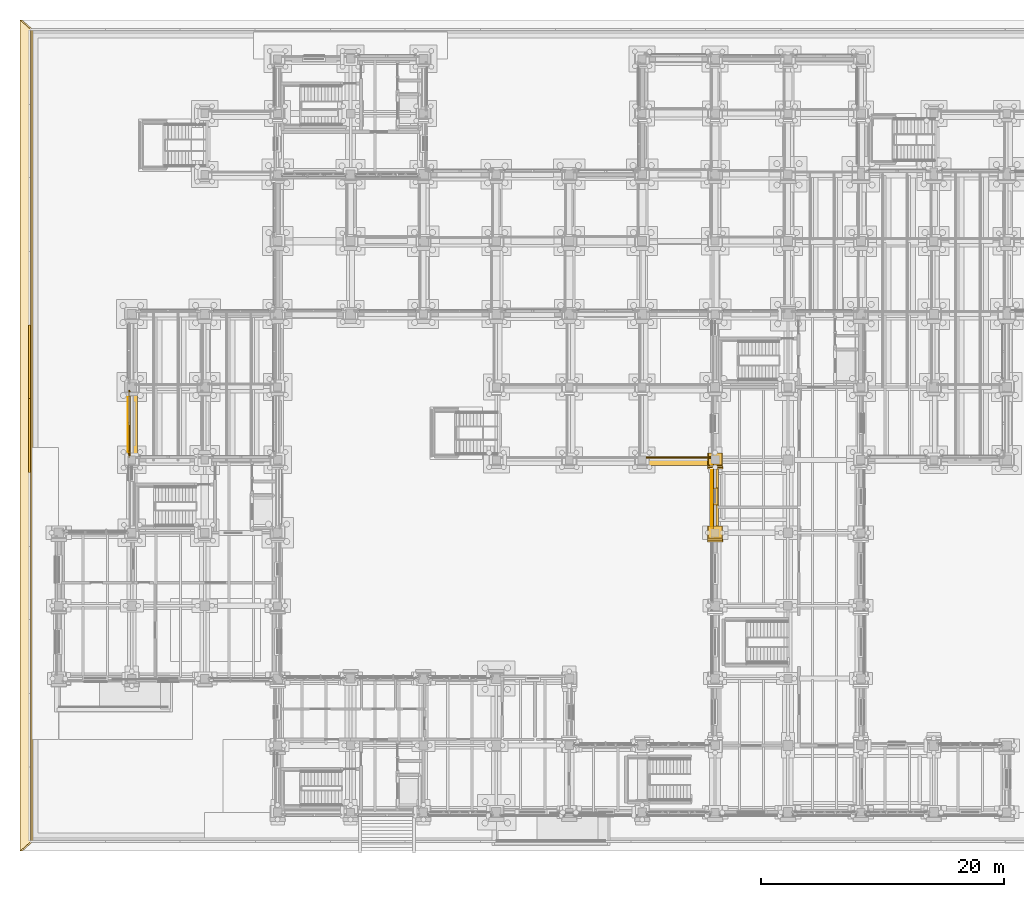
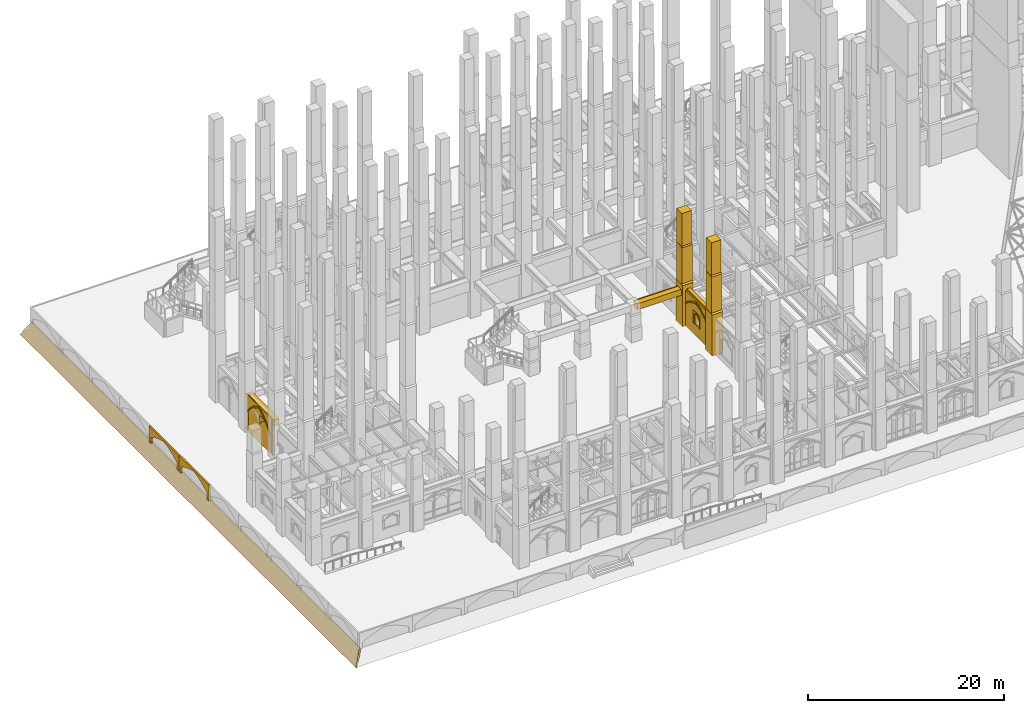
# One storey, part 85 of 135: 27 coverings.
"""IFC4 building model written with IfcOpenShell, lengths in metres."""

from ifc_helpers import new_model, si_unit, direction, frame, origin, origin_2d, place, context, subcontext, project, spatial, polyline, rectangle, outline, extrude, material, type_object, element, save


model = new_model("IFC4")

# Units and contexts
model_context = context("Model", 3, precision=1e-05, world=origin(), true_north=direction((0.0, 1.0)))
body_context = subcontext(model_context, "Body", "Model", "MODEL_VIEW")
ifc_project = project(units=[si_unit("LENGTHUNIT", "METRE"), si_unit("AREAUNIT", "SQUARE_METRE"), si_unit("VOLUMEUNIT", "CUBIC_METRE"), si_unit("PLANEANGLEUNIT", "RADIAN"), si_unit("MASSUNIT", "GRAM", prefix="KILO")], contexts=[model_context])

# Site, building, storey
site_placement = place(None, origin())
site = spatial("IfcSite", under=ifc_project, at=site_placement, CompositionType="ELEMENT")
building_placement = place(site_placement, origin())
building = spatial("IfcBuilding", under=site, at=building_placement, Name="Cumevento Cable Car Station", CompositionType="ELEMENT")
storey_placement = place(building_placement, origin())
storey = spatial("IfcBuildingStorey", under=building, at=storey_placement, Name="L01", CompositionType="ELEMENT", Elevation=0.0)

# Coverings
ifc_material = material(Name="Gnaisse Facoidal Stone Ashlar 85 MPa", Category="masonry")
covering_type = type_object("IfcCoveringType", Name="Gnaisse Ashlar Cladding CV-CL01", PredefinedType="CLADDING", material=ifc_material)
covering_1_placement = place(storey_placement, frame((58.0, 26.909912109375, -0.06005859375), z_axis=(0.0, 0.0, 1.0), x_axis=(1.0, 0.0, 0.0)))
element("IfcCovering", 1, at=covering_1_placement, inside=storey, type_object=covering_type, Name="Stepped Gothic Stone Buttress Tier 1 bt:58.0:27.0", PredefinedType="CLADDING", context=body_context, shape_type="SweptSolid", body=[
    extrude(rectangle(XDim=1.239990234375, YDim=1.300048828125, at=origin_2d()), origin(), (0.0, 0.0, 1.0), 5.175537109375),
])
covering_2_placement = place(storey_placement, frame((57.360107421875, 26.239990234375, 5.095703125), z_axis=(0.0, -0.711135781079, 0.703054692658), x_axis=(1.0, 0.0, 0.0)))
element("IfcCovering", 2, at=covering_2_placement, inside=storey, type_object=covering_type, Name="Gothic Buttress Sloped Stone Weathering 1 bt:58.0:27.0", PredefinedType="CLADDING", context=body_context, shape_type="SweptSolid", body=[
    extrude(outline(polyline([(0.0, 0.0), (1.27978515625, 0.0), (1.27978515625, 0.24169083397703695), (0.0, 0.24169083397703695), (0.0, 0.0)])), origin(), (0.0, 0.0, -1.0), 0.090087890625),
])
covering_3_placement = place(storey_placement, frame((58.0, 26.969970703125, 4.84326171875), z_axis=(0.0, 0.0, 1.0), x_axis=(1.0, 0.0, 0.0)))
element("IfcCovering", 3, at=covering_3_placement, inside=storey, type_object=covering_type, Name="Stepped Gothic Stone Buttress Tier 2 bt:58.0:27.0", PredefinedType="CLADDING", context=body_context, shape_type="SweptSolid", body=[
    extrude(rectangle(XDim=1.179931640625, YDim=1.179931640625, at=origin_2d()), origin(), (0.0, 0.0, 1.0), 4.9033203125),
])
covering_4_placement = place(storey_placement, frame((57.389892578125, 26.360107421875, 9.726318359375), z_axis=(0.0, -0.714474823669, 0.699661151089), x_axis=(1.0, 0.0, 0.0)))
element("IfcCovering", 4, at=covering_4_placement, inside=storey, type_object=covering_type, Name="Gothic Buttress Sloped Stone Weathering 2 bt:58.0:27.0", PredefinedType="CLADDING", context=body_context, shape_type="SweptSolid", body=[
    extrude(outline(polyline([(0.0, 0.0), (1.22021484375, 0.0), (1.22021484375, 0.21424991728737655), (0.0, 0.21424991728737655), (0.0, 0.0)])), origin(), (0.0, 0.0, -1.0), 0.090087890625),
])
covering_5_placement = place(storey_placement, frame((58.0, 27.02001953125, 9.47412109375), z_axis=(0.0, 0.0, 1.0), x_axis=(1.0, 0.0, 0.0)))
element("IfcCovering", 5, at=covering_5_placement, inside=storey, type_object=covering_type, Name="Stepped Gothic Stone Buttress Tier 3 bt:58.0:27.0", PredefinedType="CLADDING", context=body_context, shape_type="SweptSolid", body=[
    extrude(rectangle(XDim=1.1201171875, YDim=1.080078125, at=origin_2d()), origin(), (0.0, 0.0, 1.0), 4.426025390625),
])
covering_6_placement = place(storey_placement, frame((58.0, 32.909912109375, -0.06005859375), z_axis=(0.0, 0.0, 1.0), x_axis=(1.0, 0.0, 0.0)))
element("IfcCovering", 6, at=covering_6_placement, inside=storey, type_object=covering_type, Name="Stepped Gothic Stone Buttress Tier 1 bt:58.0:33.0", PredefinedType="CLADDING", context=body_context, shape_type="SweptSolid", body=[
    extrude(rectangle(XDim=1.239990234375, YDim=1.300048828125, at=origin_2d()), origin(), (0.0, 0.0, 1.0), 5.175537109375),
])
covering_7_placement = place(storey_placement, frame((57.360107421875, 32.239990234375, 5.095703125), z_axis=(0.0, -0.711135781079, 0.703054692658), x_axis=(1.0, 0.0, 0.0)))
element("IfcCovering", 7, at=covering_7_placement, inside=storey, type_object=covering_type, Name="Gothic Buttress Sloped Stone Weathering 1 bt:58.0:33.0", PredefinedType="CLADDING", context=body_context, shape_type="SweptSolid", body=[
    extrude(outline(polyline([(0.0, 0.0), (1.27978515625, 0.0), (1.27978515625, 0.24169083397703695), (0.0, 0.24169083397703695), (0.0, 0.0)])), origin(), (0.0, 0.0, -1.0), 0.090087890625),
])
covering_8_placement = place(storey_placement, frame((58.0, 32.969970703125, 4.84326171875), z_axis=(0.0, 0.0, 1.0), x_axis=(1.0, 0.0, 0.0)))
element("IfcCovering", 8, at=covering_8_placement, inside=storey, type_object=covering_type, Name="Stepped Gothic Stone Buttress Tier 2 bt:58.0:33.0", PredefinedType="CLADDING", context=body_context, shape_type="SweptSolid", body=[
    extrude(rectangle(XDim=1.179931640625, YDim=1.179931640625, at=origin_2d()), origin(), (0.0, 0.0, 1.0), 4.9033203125),
])
covering_9_placement = place(storey_placement, frame((57.389892578125, 32.360107421875, 9.726318359375), z_axis=(0.0, -0.714474823669, 0.699661151089), x_axis=(1.0, 0.0, 0.0)))
element("IfcCovering", 9, at=covering_9_placement, inside=storey, type_object=covering_type, Name="Gothic Buttress Sloped Stone Weathering 2 bt:58.0:33.0", PredefinedType="CLADDING", context=body_context, shape_type="SweptSolid", body=[
    extrude(outline(polyline([(0.0, 0.0), (1.22021484375, 0.0), (1.22021484375, 0.21424991728737655), (0.0, 0.21424991728737655), (0.0, 0.0)])), origin(), (0.0, 0.0, -1.0), 0.090087890625),
])
covering_10_placement = place(storey_placement, frame((58.0, 33.02001953125, 9.47412109375), z_axis=(0.0, 0.0, 1.0), x_axis=(1.0, 0.0, 0.0)))
element("IfcCovering", 10, at=covering_10_placement, inside=storey, type_object=covering_type, Name="Stepped Gothic Stone Buttress Tier 3 bt:58.0:33.0", PredefinedType="CLADDING", context=body_context, shape_type="SweptSolid", body=[
    extrude(rectangle(XDim=1.1201171875, YDim=1.080078125, at=origin_2d()), origin(), (0.0, 0.0, 1.0), 4.426025390625),
])
covering_11_placement = place(storey_placement, frame((58.090087890625, 29.987548828125, 3.782958984375), z_axis=(0.0, 0.0, 1.0), x_axis=(0.0, 1.0, 0.0)))
element("IfcCovering", 11, at=covering_11_placement, inside=storey, type_object=covering_type, Name="Gothic Stone Spandrel Stringcourse sc:0033", PredefinedType="CLADDING", context=body_context, shape_type="SweptSolid", body=[
    extrude(rectangle(XDim=5.385009765625, YDim=0.3798828125, at=origin_2d()), origin(), (0.0, 0.0, 1.0), 0.7470703125),
])
covering_12_placement = place(storey_placement, frame((10.14990234375, 35.96240234375, 3.702880859375), z_axis=(0.0, 0.0, 1.0), x_axis=(0.0, 1.0, 0.0)))
element("IfcCovering", 12, at=covering_12_placement, inside=storey, type_object=covering_type, Name="Gothic Stone Spandrel Stringcourse sc:0070", PredefinedType="CLADDING", context=body_context, shape_type="SweptSolid", body=[
    extrude(rectangle(XDim=5.514892578125, YDim=0.659912109375, at=origin_2d()), origin(), (0.0, 0.0, 1.0), 0.7470703125),
])
covering_13_placement = place(storey_placement, frame((9.79248046875, 35.96240234375, 4.320068359375), z_axis=(0.0, 0.0, 1.0), x_axis=(0.0, 1.0, 0.0)))
element("IfcCovering", 13, at=covering_13_placement, inside=storey, type_object=covering_type, Name="Gothic Cornice Dripstone Lip sc:0070", PredefinedType="CLADDING", context=body_context, shape_type="SweptSolid", body=[
    extrude(rectangle(XDim=5.554931640625, YDim=0.114990234375, at=origin_2d()), origin(), (0.0, 0.0, 1.0), 0.1298828125),
])
covering_14_placement = place(storey_placement, frame((54.987548828125, 32.85009765625, 3.73291015625), z_axis=(0.0, 0.0, 1.0), x_axis=(1.0, 0.0, 0.0)))
element("IfcCovering", 14, at=covering_14_placement, inside=storey, type_object=covering_type, Name="Gothic Stone Spandrel Stringcourse sc:0826", PredefinedType="CLADDING", context=body_context, shape_type="SweptSolid", body=[
    extrude(rectangle(XDim=5.56494140625, YDim=0.659912109375, at=origin_2d()), origin(), (0.0, 0.0, 1.0), 0.7470703125),
])
covering_15_placement = place(storey_placement, frame((54.987548828125, 33.20751953125, 4.35009765625), z_axis=(0.0, 0.0, 1.0), x_axis=(1.0, 0.0, 0.0)))
element("IfcCovering", 15, at=covering_15_placement, inside=storey, type_object=covering_type, Name="Gothic Cornice Dripstone Lip sc:0826", PredefinedType="CLADDING", context=body_context, shape_type="SweptSolid", body=[
    extrude(rectangle(XDim=5.60498046875, YDim=0.114990234375, at=origin_2d()), origin(), (0.0, 0.0, 1.0), 0.1298828125),
])
covering_16_placement = place(storey_placement, frame((10.0, 33.324951171875, 0.0), z_axis=(0.0, 0.0, 1.0), x_axis=(0.0, 1.0, 0.0)))
element("IfcCovering", 16, at=covering_16_placement, inside=storey, type_object=covering_type, Name="Exterior Gnaisse Stone Wall Ashlar #7", PredefinedType="CLADDING", context=body_context, shape_type="SweptSolid", body=[
    extrude(outline(polyline([(-0.0400390625, -0.02001953125), (5.31494140625, -0.02001953125), (5.31494140625, 4.52001953125), (-0.0400390625, 4.52001953125), (-0.0400390625, -0.02001953125)])), frame((0.0, 0.22509765625, 0.0), z_axis=(0.0, -1.0, 0.0), x_axis=(1.0, 0.0, 0.0)), (0.0, 0.0, 1.0), 0.0849609375),
])
covering_17_placement = place(storey_placement, frame((10.0, 33.5048828125, 0.300048828125), z_axis=(0.0, 0.0, 1.0), x_axis=(0.0, 1.0, 0.0)))
element("IfcCovering", 17, at=covering_17_placement, inside=storey, type_object=covering_type, Name="Gothic Ogival Pointed-Arch Stone Spandrel blind_ogival:0007", PredefinedType="CLADDING", context=body_context, shape_type="SweptSolid", body=[
    extrude(outline(polyline([(-0.050048828125, 0.0), (-0.050048828125, 4.239990234375), (4.965087890625, 4.239990234375), (4.965087890625, 0.0), (4.655029296875, 0.0), (4.655029296875, 2.219970703125), (4.41748046875, 2.55712890625), (4.150390625, 2.87158203125), (3.856201171875, 3.16064453125), (3.537109375, 3.421875), (3.19580078125, 3.653564453125), (2.8349609375, 3.853515625), (2.45751953125, 4.02001953125), (2.080078125, 3.853515625), (1.71923828125, 3.653564453125), (1.3779296875, 3.421875), (1.058837890625, 3.16064453125), (0.7646484375, 2.87158203125), (0.49755859375, 2.55712890625), (0.260009765625, 2.219970703125), (0.260009765625, 0.0), (-0.050048828125, 0.0)])), frame((0.0, 0.280029296875, 0.0), z_axis=(0.0, -1.0, 0.0), x_axis=(1.0, 0.0, 0.0)), (0.0, 0.0, 1.0), 0.110107421875),
])
covering_18_placement = place(storey_placement, frame((10.0, 33.5048828125, 2.52001953125), z_axis=(0.0, 0.0, 1.0), x_axis=(0.0, 1.0, 0.0)))
element("IfcCovering", 18, at=covering_18_placement, inside=storey, type_object=covering_type, Name="Gothic Pointed Archivolt Hood Moulding blind_ogival:0007", PredefinedType="CLADDING", context=body_context, shape_type="SweptSolid", body=[
    extrude(outline(polyline([(0.260009765625, 0.0), (0.49755859375, 0.337158203125), (0.7646484375, 0.651611328125), (1.058837890625, 0.940673828125), (1.3779296875, 1.201904296875), (1.71923828125, 1.43359375), (2.080078125, 1.633544921875), (2.45751953125, 1.800048828125), (2.8349609375, 1.633544921875), (3.19580078125, 1.43359375), (3.537109375, 1.201904296875), (3.856201171875, 0.940673828125), (4.150390625, 0.651611328125), (4.41748046875, 0.337158203125), (4.655029296875, 0.0), (4.77587890625, 0.0), (4.529052734375, 0.364501953125), (4.249755859375, 0.704833984375), (3.9404296875, 1.01806640625), (3.603515625, 1.3017578125), (3.241943359375, 1.552978515625), (2.85888671875, 1.770263671875), (2.45751953125, 1.951171875), (2.05615234375, 1.770263671875), (1.673095703125, 1.552978515625), (1.3115234375, 1.3017578125), (0.974609375, 1.01806640625), (0.665283203125, 0.704833984375), (0.385986328125, 0.364501953125), (0.138916015625, 0.0), (0.260009765625, 0.0)])), frame((0.0, 0.322021484375, 0.0), z_axis=(0.0, -1.0, 0.0), x_axis=(1.0, 0.0, 0.0)), (0.0, 0.0, 1.0), 0.06689453125),
])
covering_19_placement = place(storey_placement, frame((10.0, 33.735107421875, 2.340087890625), z_axis=(0.0, 0.0, 1.0), x_axis=(0.0, 1.0, 0.0)))
element("IfcCovering", 19, at=covering_19_placement, inside=storey, type_object=covering_type, Name="Gothic Ogival Pointed-Arch Stone Spandrel blind_ogival:0007:sub:0", PredefinedType="CLADDING", context=body_context, shape_type="SweptSolid", body=[
    extrude(outline(polyline([(-0.02001953125, 0.0), (-0.02001953125, 1.115966796875), (2.202392578125, 1.115966796875), (2.202392578125, 0.0), (2.142578125, 0.0), (2.02001953125, 0.21337890625), (1.873291015625, 0.4111328125), (1.704833984375, 0.590576171875), (1.5166015625, 0.749267578125), (1.31103515625, 0.885009765625), (1.09130859375, 0.99609375), (0.87158203125, 0.885009765625), (0.666015625, 0.749267578125), (0.477783203125, 0.590576171875), (0.309326171875, 0.4111328125), (0.16259765625, 0.21337890625), (0.0400390625, 0.0), (-0.02001953125, 0.0)])), frame((0.0, 0.263916015625, 0.0), z_axis=(0.0, -1.0, 0.0), x_axis=(1.0, 0.0, 0.0)), (0.0, 0.0, 1.0), 0.090087890625),
])
covering_20_placement = place(storey_placement, frame((58.0, 27.324951171875, 0.0), z_axis=(0.0, 0.0, 1.0), x_axis=(0.0, 1.0, 0.0)))
element("IfcCovering", 20, at=covering_20_placement, inside=storey, type_object=covering_type, Name="Exterior Gnaisse Stone Wall Ashlar #132", PredefinedType="CLADDING", context=body_context, shape_type="SweptSolid", body=[
    extrude(outline(polyline([(-0.0400390625, -0.02001953125), (5.364990234375, -0.02001953125), (5.364990234375, 3.863037109375), (-0.0400390625, 3.863037109375), (-0.0400390625, -0.02001953125)]), holes=[polyline([(2.172607421875, 1.360107421875), (3.152587890625, 1.360107421875), (3.152587890625, 2.68994140625), (2.172607421875, 2.68994140625), (2.172607421875, 1.360107421875)])]), frame((0.0, 0.25244140625, 0.0), z_axis=(0.0, -1.0, 0.0), x_axis=(1.0, 0.0, 0.0)), (0.0, 0.0, 1.0), 0.0849609375),
])
covering_21_placement = place(storey_placement, frame((58.0, 29.347412109375, 1.300048828125), z_axis=(0.0, 0.0, 1.0), x_axis=(0.0, 1.0, 0.0)))
element("IfcCovering", 21, at=covering_21_placement, inside=storey, type_object=covering_type, Name="Gothic Ogival Pointed-Arch Stone Spandrel op_ogival:0132:1", PredefinedType="CLADDING", context=body_context, shape_type="SweptSolid", body=[
    extrude(outline(polyline([(-0.0400390625, 0.0), (-0.0400390625, 1.6201171875), (1.320068359375, 1.6201171875), (1.320068359375, 0.0), (1.139892578125, 0.0), (1.139892578125, 1.02197265625), (1.086669921875, 1.10009765625), (1.026123046875, 1.173095703125), (0.95947265625, 1.240234375), (0.88671875, 1.30078125), (0.808837890625, 1.354736328125), (0.726318359375, 1.401123046875), (0.639892578125, 1.43994140625), (0.5537109375, 1.401123046875), (0.47119140625, 1.354736328125), (0.393310546875, 1.30078125), (0.320556640625, 1.240234375), (0.25390625, 1.173095703125), (0.193359375, 1.10009765625), (0.139892578125, 1.02197265625), (0.139892578125, 0.0), (-0.0400390625, 0.0)])), frame((0.0, 0.29052734375, 0.0), z_axis=(0.0, -1.0, 0.0), x_axis=(1.0, 0.0, 0.0)), (0.0, 0.0, 1.0), 0.534912109375),
])
covering_22_placement = place(storey_placement, frame((58.0, 29.347412109375, 2.322021484375), z_axis=(0.0, 0.0, 1.0), x_axis=(0.0, 1.0, 0.0)))
element("IfcCovering", 22, at=covering_22_placement, inside=storey, type_object=covering_type, Name="Gothic Pointed Archivolt Hood Moulding op_ogival:0132:1", PredefinedType="CLADDING", context=body_context, shape_type="SweptSolid", body=[
    extrude(outline(polyline([(0.139892578125, 0.0), (0.193359375, 0.078125), (0.25390625, 0.151123046875), (0.320556640625, 0.21826171875), (0.393310546875, 0.27880859375), (0.47119140625, 0.332763671875), (0.5537109375, 0.379150390625), (0.639892578125, 0.41796875), (0.726318359375, 0.379150390625), (0.808837890625, 0.332763671875), (0.88671875, 0.27880859375), (0.95947265625, 0.21826171875), (1.026123046875, 0.151123046875), (1.086669921875, 0.078125), (1.139892578125, 0.0), (1.239013671875, 0.0), (1.177978515625, 0.1005859375), (1.107666015625, 0.194580078125), (1.0283203125, 0.281494140625), (0.941162109375, 0.3603515625), (0.846923828125, 0.430419921875), (0.74609375, 0.4912109375), (0.639892578125, 0.541748046875), (0.533935546875, 0.4912109375), (0.43310546875, 0.430419921875), (0.3388671875, 0.3603515625), (0.251708984375, 0.281494140625), (0.17236328125, 0.194580078125), (0.10205078125, 0.1005859375), (0.041015625, 0.0), (0.139892578125, 0.0)])), frame((0.0, 0.33251953125, 0.0), z_axis=(0.0, -1.0, 0.0), x_axis=(1.0, 0.0, 0.0)), (0.0, 0.0, 1.0), 0.06689453125),
])
covering_23_placement = place(storey_placement, frame((58.0, 27.35009765625, 0.0), z_axis=(0.0, 0.0, 1.0), x_axis=(0.0, 1.0, 0.0)))
element("IfcCovering", 23, at=covering_23_placement, inside=storey, type_object=covering_type, Name="Gothic Ogival Pointed-Arch Stone Spandrel cloister_arcade:W:27", PredefinedType="CLADDING", context=body_context, shape_type="SweptSolid", body=[
    extrude(outline(polyline([(-0.25, 0.0), (-0.25, 4.35009765625), (5.550048828125, 4.35009765625), (5.550048828125, 0.0), (5.1201171875, 0.0), (5.1201171875, 2.550048828125), (4.85791015625, 2.80615234375), (4.580078125, 3.044921875), (4.287841796875, 3.265869140625), (3.98193359375, 3.467529296875), (3.6640625, 3.649658203125), (3.335205078125, 3.81103515625), (2.996826171875, 3.951416015625), (2.64990234375, 4.070068359375), (2.30322265625, 3.951416015625), (1.96484375, 3.81103515625), (1.635986328125, 3.649658203125), (1.318115234375, 3.467529296875), (1.01220703125, 3.265869140625), (0.719970703125, 3.044921875), (0.442138671875, 2.80615234375), (0.179931640625, 2.550048828125), (0.179931640625, 0.0), (-0.25, 0.0)])), frame((0.0, 0.260009765625, 0.0), z_axis=(0.0, -1.0, 0.0), x_axis=(1.0, 0.0, 0.0)), (0.0, 0.0, 1.0), 0.340087890625),
])
covering_24_placement = place(storey_placement, frame((58.0, 27.35009765625, 2.550048828125), z_axis=(0.0, 0.0, 1.0), x_axis=(0.0, 1.0, 0.0)))
element("IfcCovering", 24, at=covering_24_placement, inside=storey, type_object=covering_type, Name="Gothic Pointed Archivolt Hood Moulding cloister_arcade:W:27", PredefinedType="CLADDING", context=body_context, shape_type="SweptSolid", body=[
    extrude(outline(polyline([(0.179931640625, 0.0), (0.442138671875, 0.256103515625), (0.719970703125, 0.494873046875), (1.01220703125, 0.7158203125), (1.318115234375, 0.91748046875), (1.635986328125, 1.099609375), (1.96484375, 1.260986328125), (2.30322265625, 1.4013671875), (2.64990234375, 1.52001953125), (2.996826171875, 1.4013671875), (3.335205078125, 1.260986328125), (3.6640625, 1.099609375), (3.98193359375, 0.91748046875), (4.287841796875, 0.7158203125), (4.580078125, 0.494873046875), (4.85791015625, 0.256103515625), (5.1201171875, 0.0), (5.260009765625, 0.0), (4.988037109375, 0.284423828125), (4.697998046875, 0.55029296875), (4.390625, 0.796142578125), (4.06787109375, 1.021484375), (3.73095703125, 1.224609375), (3.38134765625, 1.4052734375), (3.0205078125, 1.562255859375), (2.64990234375, 1.695068359375), (2.279541015625, 1.562255859375), (1.918701171875, 1.4052734375), (1.569091796875, 1.224609375), (1.232177734375, 1.021484375), (0.909423828125, 0.796142578125), (0.60205078125, 0.55029296875), (0.31201171875, 0.284423828125), (0.0400390625, 0.0), (0.179931640625, 0.0)])), frame((0.0, 0.302001953125, 0.0), z_axis=(0.0, -1.0, 0.0), x_axis=(1.0, 0.0, 0.0)), (0.0, 0.0, 1.0), 0.06689453125),
])
covering_25_placement = place(storey_placement, frame((0.800048828125, 69.199951171875, -3.52001953125), z_axis=(-0.880314012934, 0.0, 0.474391440303), x_axis=(0.0, -1.0, 0.0)))
element("IfcCovering", 25, at=covering_25_placement, inside=storey, type_object=covering_type, Name="Battered Granite Bedrock Toe Glacis W", PredefinedType="CLADDING", context=body_context, shape_type="SweptSolid", body=[
    extrude(outline(polyline([(0.0, 0.0), (68.39990234375, 0.0), (67.599853515625, 1.896961596050447), (0.800048828125, 1.896961596050447), (0.0, 0.0)])), origin(), (0.0, 0.0, -1.0), 0.199951171875),
])
for number, where, z_axis, x_axis, name in (
    (26, (1.64990234375, 38.03173828125, -1.919921875), (0.0, 0.0, 1.0), (0.0, 1.0, 0.0), "Gothic Ogival Pointed-Arch Stone Spandrel cumevento_plinth:plinth_arch:W:4"),
    (27, (1.64990234375, 31.96826171875, -1.919921875), (0.0, 0.0, 1.0), (0.0, 1.0, 0.0), "Gothic Ogival Pointed-Arch Stone Spandrel cumevento_plinth:plinth_arch:W:5"),
):
    element("IfcCovering", number, at=place(storey_placement, frame(where, z_axis=z_axis, x_axis=x_axis)), inside=storey, type_object=covering_type, Name=name, PredefinedType="CLADDING", context=body_context, shape_type="SweptSolid", body=[
        extrude(outline(polyline([(-0.02001953125, 0.0), (-0.02001953125, 1.9599609375), (6.083740234375, 1.9599609375), (6.083740234375, 0.0), (5.70361328125, 0.0), (5.70361328125, 0.77001953125), (5.284912109375, 1.003662109375), (4.853759765625, 1.21337890625), (4.41162109375, 1.3984375), (3.95947265625, 1.55810546875), (3.4990234375, 1.692138671875), (3.03173828125, 1.800048828125), (2.564697265625, 1.692138671875), (2.104248046875, 1.55810546875), (1.652099609375, 1.3984375), (1.2099609375, 1.21337890625), (0.77880859375, 1.003662109375), (0.360107421875, 0.77001953125), (0.360107421875, 0.0), (-0.02001953125, 0.0)])), frame((0.0, 0.14990234375, 0.0), z_axis=(0.0, -1.0, 0.0), x_axis=(1.0, 0.0, 0.0)), (0.0, 0.0, 1.0), 0.179931640625),
    ])

save(model, "model.ifc")
